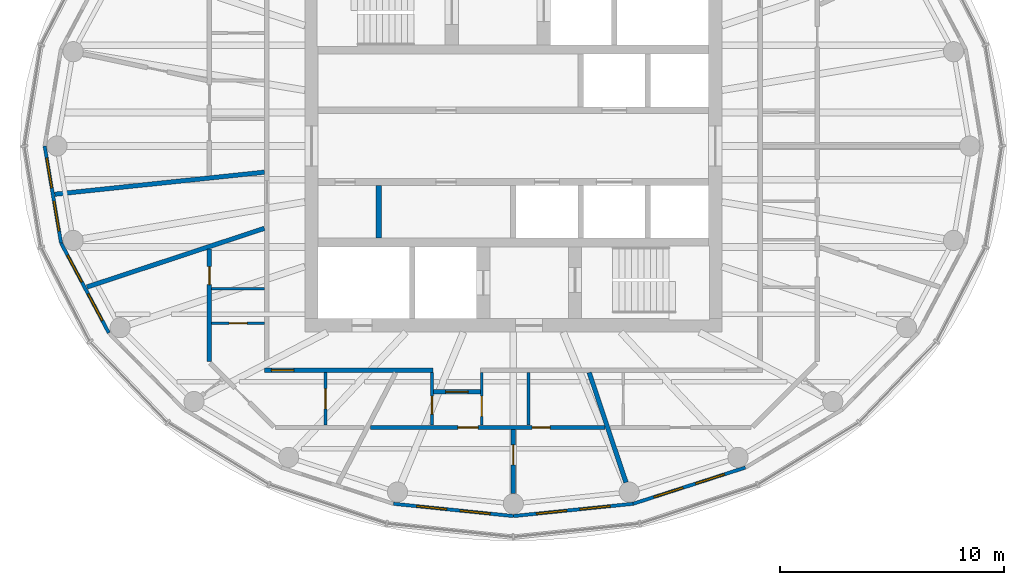
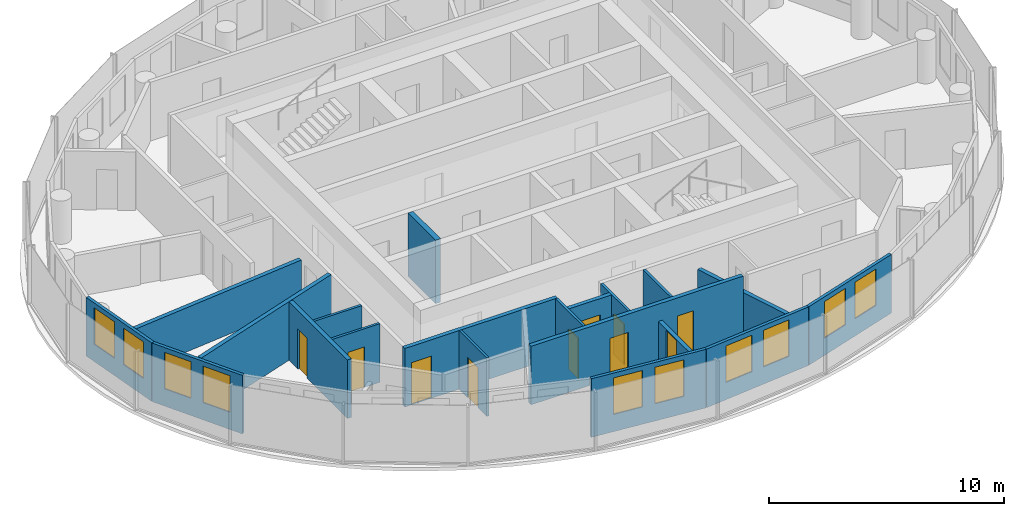
# One storey, part 5 of 11: 20 walls, 10 doors, 10 windows, 20 openings.
"""IFC4 building model written with IfcOpenShell, lengths in metres."""

from ifc_helpers import new_model, si_unit, direction, frame, frame_2d, origin, place, context, subcontext, project, spatial, rectangle, extrude, material, layer, layer_set, type_object, element, fill, save


model = new_model("IFC4")

# Units and contexts
model_context = context("Model", 3, precision=1e-05, world=origin(), true_north=direction((0.0, 1.0)))
body_context = subcontext(model_context, "Body", "Model", "MODEL_VIEW")
ifc_project = project(units=[si_unit("LENGTHUNIT", "METRE"), si_unit("AREAUNIT", "SQUARE_METRE"), si_unit("VOLUMEUNIT", "CUBIC_METRE"), si_unit("PLANEANGLEUNIT", "RADIAN"), si_unit("MASSUNIT", "GRAM", prefix="KILO")], contexts=[model_context])

# Site, building, storey
site_placement = place(None, origin())
site = spatial("IfcSite", under=ifc_project, at=site_placement, CompositionType="ELEMENT")
building_placement = place(site_placement, origin())
building = spatial("IfcBuilding", under=site, at=building_placement, Name="Hankou Lantern Tower", CompositionType="ELEMENT")
storey_placement = place(building_placement, frame((0.0, 0.0, 229.199951171875)))
storey = spatial("IfcBuildingStorey", under=building, at=storey_placement, Name="L62", CompositionType="ELEMENT", Elevation=229.199951171875)

# Wall, openings, windows
ifc_material_1 = material(Name="Aluminium spandrel panel on steel studs", Category="steel")
ifc_layer_1 = layer(ifc_material_1, 0.14990234375)
ifc_layer_set_1 = layer_set([ifc_layer_1], Name="Aluminium spandrel panel on steel studs")
wall_type_1 = type_object("IfcWallType", Name="EW1 INNER SKIN WALL 150", PredefinedType="ELEMENTEDWALL", material=ifc_layer_set_1)
wall_1_placement = place(storey_placement, frame((-20.89990234375, 0.0, 0.0), z_axis=(0.0, 0.0, 1.0), x_axis=(0.166538513568, -0.986034950445, 0.0)))
wall_1 = element("IfcWall", 1, at=wall_1_placement, inside=storey, type_object=wall_type_1, Name="Inner skin R13-R14 L62", PredefinedType="ELEMENTEDWALL", context=body_context, shape_type="SweptSolid", body=[
    extrude(rectangle(XDim=4.384765625, YDim=0.14990234375, at=frame_2d((2.1923828125, 0.0))), origin(), (0.0, 0.0, 1.0), 3.050048828125),
])
opening_1_placement = place(wall_1_placement, frame((0.54248046875, 0.0, 0.89990234375)))
opening_1 = element("IfcOpeningElement", 2, at=opening_1_placement, cuts=wall_1, Name="Opening W4", PredefinedType="OPENING", context=body_context, shape_type="SweptSolid", body=[
    extrude(rectangle(XDim=1.35009765625, YDim=1.89990234375, at=frame_2d((0.675048828125, 0.949951171875))), frame((0.0, 0.0849609375, 0.0), z_axis=(0.0, -1.0, 0.0), x_axis=(1.0, 0.0, 0.0)), (0.0, 0.0, 1.0), 0.169921875),
])
opening_2_placement = place(wall_1_placement, frame((2.492431640625, 0.0, 0.89990234375)))
opening_2 = element("IfcOpeningElement", 3, at=opening_2_placement, cuts=wall_1, Name="Opening W4", PredefinedType="OPENING", context=body_context, shape_type="SweptSolid", body=[
    extrude(rectangle(XDim=1.35009765625, YDim=1.89990234375, at=frame_2d((0.675048828125, 0.949951171875))), frame((0.0, 0.0849609375, 0.0), z_axis=(0.0, -1.0, 0.0), x_axis=(1.0, 0.0, 0.0)), (0.0, 0.0, 1.0), 0.169921875),
])
ifc_material_2 = material(Name="Aluminium framed double glazed window", Category="aluminium")
window_type = type_object("IfcWindowType", Name="W4 SUITE WINDOW 1350X1900", PartitioningType="DOUBLE_PANEL_VERTICAL", PredefinedType="WINDOW", material=ifc_material_2)
window_1_placement = place(opening_1_placement, origin())
window_1 = element("IfcWindow", 4, at=window_1_placement, inside=storey, type_object=window_type, Name="Window R13.1 L62", OverallHeight=1.89990234375, OverallWidth=1.35009765625, PartitioningType="SINGLE_PANEL", PredefinedType="WINDOW", context=body_context, shape_type="SweptSolid", body=[
    extrude(rectangle(XDim=1.35009765625, YDim=1.89990234375, at=frame_2d((0.675048828125, 0.949951171875))), frame((0.0, 0.030029296875, 0.0), z_axis=(0.0, -1.0, 0.0), x_axis=(1.0, 0.0, 0.0)), (0.0, 0.0, 1.0), 0.06005859375),
])
fill(opening_1, window_1)
window_2_placement = place(opening_2_placement, origin())
window_2 = element("IfcWindow", 5, at=window_2_placement, inside=storey, type_object=window_type, Name="Window R13.2 L62", OverallHeight=1.89990234375, OverallWidth=1.35009765625, PartitioningType="SINGLE_PANEL", PredefinedType="WINDOW", context=body_context, shape_type="SweptSolid", body=[
    extrude(rectangle(XDim=1.35009765625, YDim=1.89990234375, at=frame_2d((0.675048828125, 0.949951171875))), frame((0.0, 0.030029296875, 0.0), z_axis=(0.0, -1.0, 0.0), x_axis=(1.0, 0.0, 0.0)), (0.0, 0.0, 1.0), 0.06005859375),
])
fill(opening_2, window_2)

wall_2_placement = place(storey_placement, frame((-20.169677734375, -4.323486328125, 0.0), z_axis=(0.0, 0.0, 1.0), x_axis=(0.469256152955, -0.883062094597, 0.0)))
wall_2 = element("IfcWall", 6, at=wall_2_placement, inside=storey, type_object=wall_type_1, Name="Inner skin R14-R15 L62", PredefinedType="ELEMENTEDWALL", context=body_context, shape_type="SweptSolid", body=[
    extrude(rectangle(XDim=4.539306640625, YDim=0.14990234375, at=frame_2d((2.26953125, 0.0))), origin(), (0.0, 0.0, 1.0), 3.050048828125),
])
opening_3_placement = place(wall_2_placement, frame((0.61962890625, 0.0, 0.89990234375)))
opening_3 = element("IfcOpeningElement", 7, at=opening_3_placement, cuts=wall_2, Name="Opening W4", PredefinedType="OPENING", context=body_context, shape_type="SweptSolid", body=[
    extrude(rectangle(XDim=1.35009765625, YDim=1.89990234375, at=frame_2d((0.675048828125, 0.949951171875))), frame((0.0, 0.0849609375, 0.0), z_axis=(0.0, -1.0, 0.0), x_axis=(1.0, 0.0, 0.0)), (0.0, 0.0, 1.0), 0.169921875),
])
opening_4_placement = place(wall_2_placement, frame((2.569580078125, 0.0, 0.89990234375)))
opening_4 = element("IfcOpeningElement", 8, at=opening_4_placement, cuts=wall_2, Name="Opening W4", PredefinedType="OPENING", context=body_context, shape_type="SweptSolid", body=[
    extrude(rectangle(XDim=1.35009765625, YDim=1.89990234375, at=frame_2d((0.675048828125, 0.949951171875))), frame((0.0, 0.0849609375, 0.0), z_axis=(0.0, -1.0, 0.0), x_axis=(1.0, 0.0, 0.0)), (0.0, 0.0, 1.0), 0.169921875),
])
window_3_placement = place(opening_3_placement, origin())
window_3 = element("IfcWindow", 9, at=window_3_placement, inside=storey, type_object=window_type, Name="Window R14.1 L62", OverallHeight=1.89990234375, OverallWidth=1.35009765625, PartitioningType="SINGLE_PANEL", PredefinedType="WINDOW", context=body_context, shape_type="SweptSolid", body=[
    extrude(rectangle(XDim=1.35009765625, YDim=1.89990234375, at=frame_2d((0.675048828125, 0.949951171875))), frame((0.0, 0.030029296875, 0.0), z_axis=(0.0, -1.0, 0.0), x_axis=(1.0, 0.0, 0.0)), (0.0, 0.0, 1.0), 0.06005859375),
])
fill(opening_3, window_3)
window_4_placement = place(opening_4_placement, origin())
window_4 = element("IfcWindow", 10, at=window_4_placement, inside=storey, type_object=window_type, Name="Window R14.2 L62", OverallHeight=1.89990234375, OverallWidth=1.35009765625, PartitioningType="SINGLE_PANEL", PredefinedType="WINDOW", context=body_context, shape_type="SweptSolid", body=[
    extrude(rectangle(XDim=1.35009765625, YDim=1.89990234375, at=frame_2d((0.675048828125, 0.949951171875))), frame((0.0, 0.030029296875, 0.0), z_axis=(0.0, -1.0, 0.0), x_axis=(1.0, 0.0, 0.0)), (0.0, 0.0, 1.0), 0.06005859375),
])
fill(opening_4, window_4)

wall_3_placement = place(storey_placement, frame((-5.3427734375, -15.95166015625, 0.0), z_axis=(0.0, 0.0, 1.0), x_axis=(0.994774574972, -0.102095763818, 0.0)))
wall_3 = element("IfcWall", 11, at=wall_3_placement, inside=storey, type_object=wall_type_1, Name="Inner skin R18-R19 L62", PredefinedType="ELEMENTEDWALL", context=body_context, shape_type="SweptSolid", body=[
    extrude(rectangle(XDim=5.370849609375, YDim=0.14990234375, at=frame_2d((2.685546875, 0.0))), origin(), (0.0, 0.0, 1.0), 3.050048828125),
])
opening_5_placement = place(wall_3_placement, frame((1.035400390625, 0.0, 0.89990234375)))
opening_5 = element("IfcOpeningElement", 12, at=opening_5_placement, cuts=wall_3, Name="Opening W4", PredefinedType="OPENING", context=body_context, shape_type="SweptSolid", body=[
    extrude(rectangle(XDim=1.35009765625, YDim=1.89990234375, at=frame_2d((0.675048828125, 0.949951171875))), frame((0.0, 0.0849609375, 0.0), z_axis=(0.0, -1.0, 0.0), x_axis=(1.0, 0.0, 0.0)), (0.0, 0.0, 1.0), 0.169921875),
])
opening_6_placement = place(wall_3_placement, frame((2.9853515625, 0.0, 0.89990234375)))
opening_6 = element("IfcOpeningElement", 13, at=opening_6_placement, cuts=wall_3, Name="Opening W4", PredefinedType="OPENING", context=body_context, shape_type="SweptSolid", body=[
    extrude(rectangle(XDim=1.35009765625, YDim=1.89990234375, at=frame_2d((0.675048828125, 0.949951171875))), frame((0.0, 0.0849609375, 0.0), z_axis=(0.0, -1.0, 0.0), x_axis=(1.0, 0.0, 0.0)), (0.0, 0.0, 1.0), 0.169921875),
])
window_5_placement = place(opening_5_placement, origin())
window_5 = element("IfcWindow", 14, at=window_5_placement, inside=storey, type_object=window_type, Name="Window R18.1 L62", OverallHeight=1.89990234375, OverallWidth=1.35009765625, PartitioningType="SINGLE_PANEL", PredefinedType="WINDOW", context=body_context, shape_type="SweptSolid", body=[
    extrude(rectangle(XDim=1.35009765625, YDim=1.89990234375, at=frame_2d((0.675048828125, 0.949951171875))), frame((0.0, 0.030029296875, 0.0), z_axis=(0.0, -1.0, 0.0), x_axis=(1.0, 0.0, 0.0)), (0.0, 0.0, 1.0), 0.06005859375),
])
fill(opening_5, window_5)
window_6_placement = place(opening_6_placement, origin())
window_6 = element("IfcWindow", 15, at=window_6_placement, inside=storey, type_object=window_type, Name="Window R18.2 L62", OverallHeight=1.89990234375, OverallWidth=1.35009765625, PartitioningType="SINGLE_PANEL", PredefinedType="WINDOW", context=body_context, shape_type="SweptSolid", body=[
    extrude(rectangle(XDim=1.35009765625, YDim=1.89990234375, at=frame_2d((0.675048828125, 0.949951171875))), frame((0.0, 0.030029296875, 0.0), z_axis=(0.0, -1.0, 0.0), x_axis=(1.0, 0.0, 0.0)), (0.0, 0.0, 1.0), 0.06005859375),
])
fill(opening_6, window_6)

wall_4_placement = place(storey_placement, frame((0.0, -16.5, 0.0), z_axis=(0.0, 0.0, 1.0), x_axis=(0.994774574972, 0.102095763818, 0.0)))
wall_4 = element("IfcWall", 16, at=wall_4_placement, inside=storey, type_object=wall_type_1, Name="Inner skin R19-R20 L62", PredefinedType="ELEMENTEDWALL", context=body_context, shape_type="SweptSolid", body=[
    extrude(rectangle(XDim=5.370849609375, YDim=0.14990234375, at=frame_2d((2.685546875, 0.0))), origin(), (0.0, 0.0, 1.0), 3.050048828125),
])
opening_7_placement = place(wall_4_placement, frame((1.035400390625, 0.0, 0.89990234375)))
opening_7 = element("IfcOpeningElement", 17, at=opening_7_placement, cuts=wall_4, Name="Opening W4", PredefinedType="OPENING", context=body_context, shape_type="SweptSolid", body=[
    extrude(rectangle(XDim=1.35009765625, YDim=1.89990234375, at=frame_2d((0.675048828125, 0.949951171875))), frame((0.0, 0.0849609375, 0.0), z_axis=(0.0, -1.0, 0.0), x_axis=(1.0, 0.0, 0.0)), (0.0, 0.0, 1.0), 0.169921875),
])
opening_8_placement = place(wall_4_placement, frame((2.9853515625, 0.0, 0.89990234375)))
opening_8 = element("IfcOpeningElement", 18, at=opening_8_placement, cuts=wall_4, Name="Opening W4", PredefinedType="OPENING", context=body_context, shape_type="SweptSolid", body=[
    extrude(rectangle(XDim=1.35009765625, YDim=1.89990234375, at=frame_2d((0.675048828125, 0.949951171875))), frame((0.0, 0.0849609375, 0.0), z_axis=(0.0, -1.0, 0.0), x_axis=(1.0, 0.0, 0.0)), (0.0, 0.0, 1.0), 0.169921875),
])
window_7_placement = place(opening_7_placement, origin())
window_7 = element("IfcWindow", 19, at=window_7_placement, inside=storey, type_object=window_type, Name="Window R19.1 L62", OverallHeight=1.89990234375, OverallWidth=1.35009765625, PartitioningType="SINGLE_PANEL", PredefinedType="WINDOW", context=body_context, shape_type="SweptSolid", body=[
    extrude(rectangle(XDim=1.35009765625, YDim=1.89990234375, at=frame_2d((0.675048828125, 0.949951171875))), frame((0.0, 0.030029296875, 0.0), z_axis=(0.0, -1.0, 0.0), x_axis=(1.0, 0.0, 0.0)), (0.0, 0.0, 1.0), 0.06005859375),
])
fill(opening_7, window_7)
window_8_placement = place(opening_8_placement, origin())
window_8 = element("IfcWindow", 20, at=window_8_placement, inside=storey, type_object=window_type, Name="Window R19.2 L62", OverallHeight=1.89990234375, OverallWidth=1.35009765625, PartitioningType="SINGLE_PANEL", PredefinedType="WINDOW", context=body_context, shape_type="SweptSolid", body=[
    extrude(rectangle(XDim=1.35009765625, YDim=1.89990234375, at=frame_2d((0.675048828125, 0.949951171875))), frame((0.0, 0.030029296875, 0.0), z_axis=(0.0, -1.0, 0.0), x_axis=(1.0, 0.0, 0.0)), (0.0, 0.0, 1.0), 0.06005859375),
])
fill(opening_8, window_8)

wall_5_placement = place(storey_placement, frame((5.3427734375, -15.95166015625, 0.0), z_axis=(0.0, 0.0, 1.0), x_axis=(0.951644702515, 0.307200846638, 0.0)))
wall_5 = element("IfcWall", 21, at=wall_5_placement, inside=storey, type_object=wall_type_1, Name="Inner skin R20-R21 L62", PredefinedType="ELEMENTEDWALL", context=body_context, shape_type="SweptSolid", body=[
    extrude(rectangle(XDim=5.2578125, YDim=0.14990234375, at=frame_2d((2.62890625, 0.0))), origin(), (0.0, 0.0, 1.0), 3.050048828125),
])
opening_9_placement = place(wall_5_placement, frame((0.97900390625, 0.0, 0.89990234375)))
opening_9 = element("IfcOpeningElement", 22, at=opening_9_placement, cuts=wall_5, Name="Opening W4", PredefinedType="OPENING", context=body_context, shape_type="SweptSolid", body=[
    extrude(rectangle(XDim=1.35009765625, YDim=1.89990234375, at=frame_2d((0.675048828125, 0.949951171875))), frame((0.0, 0.0849609375, 0.0), z_axis=(0.0, -1.0, 0.0), x_axis=(1.0, 0.0, 0.0)), (0.0, 0.0, 1.0), 0.169921875),
])
opening_10_placement = place(wall_5_placement, frame((2.928955078125, 0.0, 0.89990234375)))
opening_10 = element("IfcOpeningElement", 23, at=opening_10_placement, cuts=wall_5, Name="Opening W4", PredefinedType="OPENING", context=body_context, shape_type="SweptSolid", body=[
    extrude(rectangle(XDim=1.35009765625, YDim=1.89990234375, at=frame_2d((0.675048828125, 0.949951171875))), frame((0.0, 0.0849609375, 0.0), z_axis=(0.0, -1.0, 0.0), x_axis=(1.0, 0.0, 0.0)), (0.0, 0.0, 1.0), 0.169921875),
])
window_9_placement = place(opening_9_placement, origin())
window_9 = element("IfcWindow", 24, at=window_9_placement, inside=storey, type_object=window_type, Name="Window R20.1 L62", OverallHeight=1.89990234375, OverallWidth=1.35009765625, PartitioningType="SINGLE_PANEL", PredefinedType="WINDOW", context=body_context, shape_type="SweptSolid", body=[
    extrude(rectangle(XDim=1.35009765625, YDim=1.89990234375, at=frame_2d((0.675048828125, 0.949951171875))), frame((0.0, 0.030029296875, 0.0), z_axis=(0.0, -1.0, 0.0), x_axis=(1.0, 0.0, 0.0)), (0.0, 0.0, 1.0), 0.06005859375),
])
fill(opening_9, window_9)
window_10_placement = place(opening_10_placement, origin())
window_10 = element("IfcWindow", 25, at=window_10_placement, inside=storey, type_object=window_type, Name="Window R20.2 L62", OverallHeight=1.89990234375, OverallWidth=1.35009765625, PartitioningType="SINGLE_PANEL", PredefinedType="WINDOW", context=body_context, shape_type="SweptSolid", body=[
    extrude(rectangle(XDim=1.35009765625, YDim=1.89990234375, at=frame_2d((0.675048828125, 0.949951171875))), frame((0.0, 0.030029296875, 0.0), z_axis=(0.0, -1.0, 0.0), x_axis=(1.0, 0.0, 0.0)), (0.0, 0.0, 1.0), 0.06005859375),
])
fill(opening_10, window_10)

# Wall
ifc_material_3 = material(Name="Masonry lightweight concrete block", Category="masonry")
ifc_layer_2 = layer(ifc_material_3, 0.199951171875)
ifc_layer_set_2 = layer_set([ifc_layer_2], Name="Masonry lightweight concrete block")
wall_type_2 = type_object("IfcWallType", Name="IW1 GUEST ROOM PARTY WALL 200", PredefinedType="PARTITIONING", material=ifc_layer_set_2)
wall_6_placement = place(storey_placement, frame((3.3828125, -10.10009765625, 0.0), z_axis=(0.0, 0.0, 1.0), x_axis=(0.317602151035, -0.948224063003, 0.0)))
element("IfcWall", 26, at=wall_6_placement, inside=storey, type_object=wall_type_2, Name="Party wall R20", PredefinedType="PARTITIONING", context=body_context, shape_type="SweptSolid", body=[
    extrude(rectangle(XDim=5.16796875, YDim=0.199951171875, at=frame_2d((2.583984375, 0.0))), origin(), (0.0, 0.0, 1.0), 2.150146484375),
])

# Wall, opening, door
ifc_material_4 = material(Name="Masonry lightweight concrete block", Category="masonry")
ifc_layer_3 = layer(ifc_material_4, 0.199951171875)
ifc_layer_set_3 = layer_set([ifc_layer_3], Name="Masonry lightweight concrete block")
wall_type_3 = type_object("IfcWallType", Name="IW2 CORRIDOR WALL 200", PredefinedType="PARTITIONING", material=ifc_layer_set_3)
wall_7_placement = place(storey_placement, frame((-3.578857421875, -10.0, 0.0), z_axis=(0.0, 0.0, 1.0), x_axis=(-1.0, 0.0, 0.0)))
wall_7 = element("IfcWall", 27, at=wall_7_placement, inside=storey, type_object=wall_type_3, Name="Corridor wall south", PredefinedType="PARTITIONING", context=body_context, shape_type="SweptSolid", body=[
    extrude(rectangle(XDim=7.521240234375, YDim=0.199951171875, at=frame_2d((3.7607421875, 0.0))), origin(), (0.0, 0.0, 1.0), 3.050048828125),
])
opening_11_placement = place(wall_7_placement, frame((6.205810546875, 0.0, 0.0)))
opening_11 = element("IfcOpeningElement", 28, at=opening_11_placement, cuts=wall_7, Name="Opening D2", PredefinedType="OPENING", context=body_context, shape_type="SweptSolid", body=[
    extrude(rectangle(XDim=1.0, YDim=2.199951171875, at=frame_2d((0.5, 1.10009765625))), frame((0.0, 0.10986328125, 0.0), z_axis=(0.0, -1.0, 0.0), x_axis=(1.0, 0.0, 0.0)), (0.0, 0.0, 1.0), 0.219970703125),
])
ifc_material_5 = material(Name="Steel door leaf", Category="steel")
door_type_1 = type_object("IfcDoorType", Name="D2 SUITE DOOR 1000X2200", OperationType="SINGLE_SWING_LEFT", PredefinedType="DOOR", material=ifc_material_5)
door_1_placement = place(opening_11_placement, origin())
door_1 = element("IfcDoor", 29, at=door_1_placement, inside=storey, type_object=door_type_1, Name="Suite door 6204", OperationType="SINGLE_SWING_LEFT", OverallHeight=2.199951171875, OverallWidth=1.0, PredefinedType="DOOR", context=body_context, shape_type="SweptSolid", body=[
    extrude(rectangle(XDim=1.0, YDim=2.199951171875, at=frame_2d((0.5, 1.10009765625))), frame((0.0, 0.02490234375, 0.0), z_axis=(0.0, -1.0, 0.0), x_axis=(1.0, 0.0, 0.0)), (0.0, 0.0, 1.0), 0.050048828125),
])
fill(opening_11, door_1)

wall_8_placement = place(storey_placement, frame((-3.56884765625, -10.949951171875, 0.0), z_axis=(0.0, 0.0, 1.0), x_axis=(1.0, 0.0, 0.0)))
wall_8 = element("IfcWall", 30, at=wall_8_placement, inside=storey, type_object=wall_type_3, Name="Suite entrance recess wall 6205", PredefinedType="PARTITIONING", context=body_context, shape_type="SweptSolid", body=[
    extrude(rectangle(XDim=2.099853515625, YDim=0.199951171875, at=frame_2d((1.0498046875, 0.0))), origin(), (0.0, 0.0, 1.0), 3.050048828125),
])
opening_12_placement = place(wall_8_placement, frame((0.550048828125, 0.0, 0.0)))
opening_12 = element("IfcOpeningElement", 31, at=opening_12_placement, cuts=wall_8, Name="Opening D2", PredefinedType="OPENING", context=body_context, shape_type="SweptSolid", body=[
    extrude(rectangle(XDim=1.0, YDim=2.199951171875, at=frame_2d((0.5, 1.10009765625))), frame((0.0, 0.10986328125, 0.0), z_axis=(0.0, -1.0, 0.0), x_axis=(1.0, 0.0, 0.0)), (0.0, 0.0, 1.0), 0.219970703125),
])
door_2_placement = place(opening_12_placement, origin())
door_2 = element("IfcDoor", 32, at=door_2_placement, inside=storey, type_object=door_type_1, Name="Suite door 6205", OperationType="SINGLE_SWING_RIGHT", OverallHeight=2.199951171875, OverallWidth=1.0, PredefinedType="DOOR", context=body_context, shape_type="SweptSolid", body=[
    extrude(rectangle(XDim=1.0, YDim=2.199951171875, at=frame_2d((0.5, 1.10009765625))), frame((0.0, 0.02490234375, 0.0), z_axis=(0.0, -1.0, 0.0), x_axis=(1.0, 0.0, 0.0)), (0.0, 0.0, 1.0), 0.050048828125),
])
fill(opening_12, door_2)

# Wall
ifc_material_6 = material(Name="Masonry lightweight concrete block", Category="masonry")
ifc_layer_4 = layer(ifc_material_6, 0.1201171875)
ifc_layer_set_4 = layer_set([ifc_layer_4], Name="Masonry lightweight concrete block")
wall_type_4 = type_object("IfcWallType", Name="IW3 BATHROOM WALL 120", PredefinedType="PARTITIONING", material=ifc_layer_set_4)
wall_9_placement = place(storey_placement, frame((-11.10009765625, -6.358154296875, 0.0), z_axis=(0.0, 0.0, 1.0), x_axis=(-1.0, 0.0, 0.0)))
element("IfcWall", 33, at=wall_9_placement, inside=storey, type_object=wall_type_4, Name="Box wall 6204 1", PredefinedType="PARTITIONING", context=body_context, shape_type="SweptSolid", body=[
    extrude(rectangle(XDim=2.349853515625, YDim=0.1201171875, at=frame_2d((1.1748046875, 0.0))), origin(), (0.0, 0.0, 1.0), 3.050048828125),
])

# Wall, opening, door
wall_10_placement = place(storey_placement, frame((-11.10009765625, -7.9052734375, 0.0), z_axis=(0.0, 0.0, 1.0), x_axis=(-1.0, 0.0, 0.0)))
wall_10 = element("IfcWall", 34, at=wall_10_placement, inside=storey, type_object=wall_type_4, Name="Box wall 6204 2", PredefinedType="PARTITIONING", context=body_context, shape_type="SweptSolid", body=[
    extrude(rectangle(XDim=2.349853515625, YDim=0.1201171875, at=frame_2d((1.1748046875, 0.0))), origin(), (0.0, 0.0, 1.0), 3.050048828125),
])
opening_13_placement = place(wall_10_placement, frame((0.77001953125, 0.0, 0.0)))
opening_13 = element("IfcOpeningElement", 35, at=opening_13_placement, cuts=wall_10, Name="Opening D3", PredefinedType="OPENING", context=body_context, shape_type="SweptSolid", body=[
    extrude(rectangle(XDim=0.800048828125, YDim=2.10009765625, at=frame_2d((0.39990234375, 1.050048828125))), frame((0.0, 0.070068359375, 0.0), z_axis=(0.0, -1.0, 0.0), x_axis=(1.0, 0.0, 0.0)), (0.0, 0.0, 1.0), 0.14013671875),
])
ifc_material_7 = material(Name="Timber door leaf", Category="wood")
door_type_2 = type_object("IfcDoorType", Name="D3 BATHROOM DOOR 800X2100", OperationType="SINGLE_SWING_LEFT", PredefinedType="DOOR", material=ifc_material_7)
door_3_placement = place(opening_13_placement, origin())
door_3 = element("IfcDoor", 36, at=door_3_placement, inside=storey, type_object=door_type_2, Name="Suite 6204 guest WC door", OperationType="SINGLE_SWING_LEFT", OverallHeight=2.10009765625, OverallWidth=0.800048828125, PredefinedType="DOOR", context=body_context, shape_type="SweptSolid", body=[
    extrude(rectangle(XDim=0.800048828125, YDim=2.10009765625, at=frame_2d((0.39990234375, 1.050048828125))), frame((0.0, 0.02490234375, 0.0), z_axis=(0.0, -1.0, 0.0), x_axis=(1.0, 0.0, 0.0)), (0.0, 0.0, 1.0), 0.050048828125),
])
fill(opening_13, door_3)

wall_11_placement = place(storey_placement, frame((-8.374755859375, -10.10009765625, 0.0), z_axis=(0.0, 0.0, 1.0), x_axis=(0.0, -1.0, 0.0)))
wall_11 = element("IfcWall", 37, at=wall_11_placement, inside=storey, type_object=wall_type_4, Name="Box wall 6204 3", PredefinedType="PARTITIONING", context=body_context, shape_type="SweptSolid", body=[
    extrude(rectangle(XDim=2.349853515625, YDim=0.1201171875, at=frame_2d((1.1748046875, 0.0))), origin(), (0.0, 0.0, 1.0), 3.050048828125),
])
opening_14_placement = place(wall_11_placement, frame((0.719970703125, 0.0, 0.0)))
opening_14 = element("IfcOpeningElement", 38, at=opening_14_placement, cuts=wall_11, Name="Opening D27", PredefinedType="OPENING", context=body_context, shape_type="SweptSolid", body=[
    extrude(rectangle(XDim=0.89990234375, YDim=2.10009765625, at=frame_2d((0.449951171875, 1.050048828125))), frame((0.0, 0.070068359375, 0.0), z_axis=(0.0, -1.0, 0.0), x_axis=(1.0, 0.0, 0.0)), (0.0, 0.0, 1.0), 0.14013671875),
])
ifc_material_8 = material(Name="Timber door leaf", Category="wood")
door_type_3 = type_object("IfcDoorType", Name="D27 INTERNAL DOOR 900X2100", OperationType="SINGLE_SWING_LEFT", PredefinedType="DOOR", material=ifc_material_8)
door_4_placement = place(opening_14_placement, origin())
door_4 = element("IfcDoor", 39, at=door_4_placement, inside=storey, type_object=door_type_3, Name="Suite 6204 walk-in wardrobe door", OperationType="SINGLE_SWING_LEFT", OverallHeight=2.10009765625, OverallWidth=0.89990234375, PredefinedType="DOOR", context=body_context, shape_type="SweptSolid", body=[
    extrude(rectangle(XDim=0.89990234375, YDim=2.10009765625, at=frame_2d((0.449951171875, 1.050048828125))), frame((0.0, 0.02490234375, 0.0), z_axis=(0.0, -1.0, 0.0), x_axis=(1.0, 0.0, 0.0)), (0.0, 0.0, 1.0), 0.050048828125),
])
fill(opening_14, door_4)

wall_12_placement = place(storey_placement, frame((-3.62890625, -10.10009765625, 0.0), z_axis=(0.0, 0.0, 1.0), x_axis=(0.0, -1.0, 0.0)))
wall_12 = element("IfcWall", 40, at=wall_12_placement, inside=storey, type_object=wall_type_4, Name="Box wall 6205 1", PredefinedType="PARTITIONING", context=body_context, shape_type="SweptSolid", body=[
    extrude(rectangle(XDim=2.349853515625, YDim=0.1201171875, at=frame_2d((1.1748046875, 0.0))), origin(), (0.0, 0.0, 1.0), 3.050048828125),
])
opening_15_placement = place(wall_12_placement, frame((1.050048828125, 0.0, 0.0)))
opening_15 = element("IfcOpeningElement", 41, at=opening_15_placement, cuts=wall_12, Name="Opening D3", PredefinedType="OPENING", context=body_context, shape_type="SweptSolid", body=[
    extrude(rectangle(XDim=0.800048828125, YDim=2.10009765625, at=frame_2d((0.39990234375, 1.050048828125))), frame((0.0, 0.070068359375, 0.0), z_axis=(0.0, -1.0, 0.0), x_axis=(1.0, 0.0, 0.0)), (0.0, 0.0, 1.0), 0.14013671875),
])
door_5_placement = place(opening_15_placement, origin())
door_5 = element("IfcDoor", 42, at=door_5_placement, inside=storey, type_object=door_type_2, Name="Suite 6205 guest WC door", OperationType="SINGLE_SWING_LEFT", OverallHeight=2.10009765625, OverallWidth=0.800048828125, PredefinedType="DOOR", context=body_context, shape_type="SweptSolid", body=[
    extrude(rectangle(XDim=0.800048828125, YDim=2.10009765625, at=frame_2d((0.39990234375, 1.050048828125))), frame((0.0, 0.02490234375, 0.0), z_axis=(0.0, -1.0, 0.0), x_axis=(1.0, 0.0, 0.0)), (0.0, 0.0, 1.0), 0.050048828125),
])
fill(opening_15, door_5)

wall_13_placement = place(storey_placement, frame((-1.408935546875, -10.10009765625, 0.0), z_axis=(0.0, 0.0, 1.0), x_axis=(0.0, -1.0, 0.0)))
wall_13 = element("IfcWall", 43, at=wall_13_placement, inside=storey, type_object=wall_type_4, Name="Box wall 6205 2", PredefinedType="PARTITIONING", context=body_context, shape_type="SweptSolid", body=[
    extrude(rectangle(XDim=2.349853515625, YDim=0.1201171875, at=frame_2d((1.1748046875, 0.0))), origin(), (0.0, 0.0, 1.0), 3.050048828125),
])
opening_16_placement = place(wall_13_placement, frame((1.050048828125, 0.0, 0.0)))
opening_16 = element("IfcOpeningElement", 44, at=opening_16_placement, cuts=wall_13, Name="Opening D27", PredefinedType="OPENING", context=body_context, shape_type="SweptSolid", body=[
    extrude(rectangle(XDim=0.89990234375, YDim=2.10009765625, at=frame_2d((0.449951171875, 1.050048828125))), frame((0.0, 0.070068359375, 0.0), z_axis=(0.0, -1.0, 0.0), x_axis=(1.0, 0.0, 0.0)), (0.0, 0.0, 1.0), 0.14013671875),
])
door_6_placement = place(opening_16_placement, origin())
door_6 = element("IfcDoor", 45, at=door_6_placement, inside=storey, type_object=door_type_3, Name="Suite 6205 walk-in wardrobe door", OperationType="SINGLE_SWING_RIGHT", OverallHeight=2.10009765625, OverallWidth=0.89990234375, PredefinedType="DOOR", context=body_context, shape_type="SweptSolid", body=[
    extrude(rectangle(XDim=0.89990234375, YDim=2.10009765625, at=frame_2d((0.449951171875, 1.050048828125))), frame((0.0, 0.02490234375, 0.0), z_axis=(0.0, -1.0, 0.0), x_axis=(1.0, 0.0, 0.0)), (0.0, 0.0, 1.0), 0.050048828125),
])
fill(opening_16, door_6)

# Wall
wall_14_placement = place(storey_placement, frame((0.678466796875, -10.10009765625, 0.0), z_axis=(0.0, 0.0, 1.0), x_axis=(0.0, -1.0, 0.0)))
element("IfcWall", 46, at=wall_14_placement, inside=storey, type_object=wall_type_4, Name="Box wall 6205 3", PredefinedType="PARTITIONING", context=body_context, shape_type="SweptSolid", body=[
    extrude(rectangle(XDim=2.349853515625, YDim=0.1201171875, at=frame_2d((1.1748046875, 0.0))), origin(), (0.0, 0.0, 1.0), 3.050048828125),
])

# Wall, opening, door
ifc_material_9 = material(Name="Masonry lightweight concrete block", Category="masonry")
ifc_layer_5 = layer(ifc_material_9, 0.199951171875)
ifc_layer_set_5 = layer_set([ifc_layer_5], Name="Masonry lightweight concrete block")
wall_type_5 = type_object("IfcWallType", Name="IW6 SUITE PARTITION 200", PredefinedType="PARTITIONING", material=ifc_layer_set_5)
wall_15_placement = place(storey_placement, frame((-13.550048828125, -4.599853515625, 0.0), z_axis=(0.0, 0.0, 1.0), x_axis=(0.0, -1.0, 0.0)))
wall_15 = element("IfcWall", 47, at=wall_15_placement, inside=storey, type_object=wall_type_5, Name="Suite foyer wall 6204", PredefinedType="PARTITIONING", context=body_context, shape_type="SweptSolid", body=[
    extrude(rectangle(XDim=5.0087890625, YDim=0.199951171875, at=frame_2d((2.50439453125, 0.0))), origin(), (0.0, 0.0, 1.0), 3.050048828125),
])
opening_17_placement = place(wall_15_placement, frame((0.773681640625, 0.0, 0.0)))
opening_17 = element("IfcOpeningElement", 48, at=opening_17_placement, cuts=wall_15, Name="Opening D3", PredefinedType="OPENING", context=body_context, shape_type="SweptSolid", body=[
    extrude(rectangle(XDim=0.800048828125, YDim=2.10009765625, at=frame_2d((0.39990234375, 1.050048828125))), frame((0.0, 0.10986328125, 0.0), z_axis=(0.0, -1.0, 0.0), x_axis=(1.0, 0.0, 0.0)), (0.0, 0.0, 1.0), 0.219970703125),
])
door_7_placement = place(opening_17_placement, origin())
door_7 = element("IfcDoor", 49, at=door_7_placement, inside=storey, type_object=door_type_2, Name="Suite 6204 bathroom door", OperationType="SINGLE_SWING_RIGHT", OverallHeight=2.10009765625, OverallWidth=0.800048828125, PredefinedType="DOOR", context=body_context, shape_type="SweptSolid", body=[
    extrude(rectangle(XDim=0.800048828125, YDim=2.10009765625, at=frame_2d((0.39990234375, 1.050048828125))), frame((0.0, 0.02490234375, 0.0), z_axis=(0.0, -1.0, 0.0), x_axis=(1.0, 0.0, 0.0)), (0.0, 0.0, 1.0), 0.050048828125),
])
fill(opening_17, door_7)

# Wall, openings, doors
wall_16_placement = place(storey_placement, frame((-6.36376953125, -12.550048828125, 0.0), z_axis=(0.0, 0.0, 1.0), x_axis=(1.0, 0.0, 0.0)))
wall_16 = element("IfcWall", 50, at=wall_16_placement, inside=storey, type_object=wall_type_5, Name="Suite foyer wall 6205", PredefinedType="PARTITIONING", context=body_context, shape_type="SweptSolid", body=[
    extrude(rectangle(XDim=10.44580078125, YDim=0.199951171875, at=frame_2d((5.222900390625, 0.0))), origin(), (0.0, 0.0, 1.0), 3.050048828125),
])
opening_18_placement = place(wall_16_placement, frame((7.2021484375, 0.0, 0.0)))
opening_18 = element("IfcOpeningElement", 51, at=opening_18_placement, cuts=wall_16, Name="Opening D3", PredefinedType="OPENING", context=body_context, shape_type="SweptSolid", body=[
    extrude(rectangle(XDim=0.800048828125, YDim=2.10009765625, at=frame_2d((0.39990234375, 1.050048828125))), frame((0.0, 0.10986328125, 0.0), z_axis=(0.0, -1.0, 0.0), x_axis=(1.0, 0.0, 0.0)), (0.0, 0.0, 1.0), 0.219970703125),
])
opening_19_placement = place(wall_16_placement, frame((3.894775390625, 0.0, 0.0)))
opening_19 = element("IfcOpeningElement", 52, at=opening_19_placement, cuts=wall_16, Name="Opening D27", PredefinedType="OPENING", context=body_context, shape_type="SweptSolid", body=[
    extrude(rectangle(XDim=0.89990234375, YDim=2.10009765625, at=frame_2d((0.449951171875, 1.050048828125))), frame((0.0, 0.10986328125, 0.0), z_axis=(0.0, -1.0, 0.0), x_axis=(1.0, 0.0, 0.0)), (0.0, 0.0, 1.0), 0.219970703125),
])
door_8_placement = place(opening_19_placement, origin())
door_8 = element("IfcDoor", 53, at=door_8_placement, inside=storey, type_object=door_type_3, Name="Suite 6205 living room door", OperationType="SINGLE_SWING_RIGHT", OverallHeight=2.10009765625, OverallWidth=0.89990234375, PredefinedType="DOOR", context=body_context, shape_type="SweptSolid", body=[
    extrude(rectangle(XDim=0.89990234375, YDim=2.10009765625, at=frame_2d((0.449951171875, 1.050048828125))), frame((0.0, 0.02490234375, 0.0), z_axis=(0.0, -1.0, 0.0), x_axis=(1.0, 0.0, 0.0)), (0.0, 0.0, 1.0), 0.050048828125),
])
fill(opening_19, door_8)
door_9_placement = place(opening_18_placement, origin())
door_9 = element("IfcDoor", 54, at=door_9_placement, inside=storey, type_object=door_type_2, Name="Suite 6205 bathroom door", OperationType="SINGLE_SWING_LEFT", OverallHeight=2.10009765625, OverallWidth=0.800048828125, PredefinedType="DOOR", context=body_context, shape_type="SweptSolid", body=[
    extrude(rectangle(XDim=0.800048828125, YDim=2.10009765625, at=frame_2d((0.39990234375, 1.050048828125))), frame((0.0, 0.02490234375, 0.0), z_axis=(0.0, -1.0, 0.0), x_axis=(1.0, 0.0, 0.0)), (0.0, 0.0, 1.0), 0.050048828125),
])
fill(opening_18, door_9)

# Wall, opening, door
wall_17_placement = place(storey_placement, frame((0.0, -12.64990234375, 0.0), z_axis=(0.0, 0.0, 1.0), x_axis=(0.0, -1.0, 0.0)))
wall_17 = element("IfcWall", 55, at=wall_17_placement, inside=storey, type_object=wall_type_5, Name="Suite partition R19", PredefinedType="PARTITIONING", context=body_context, shape_type="SweptSolid", body=[
    extrude(rectangle(XDim=2.85009765625, YDim=0.199951171875, at=frame_2d((1.425048828125, 0.0))), origin(), (0.0, 0.0, 1.0), 2.150146484375),
])
opening_20_placement = place(wall_17_placement, frame((0.669921875, 0.0, 0.0)))
opening_20 = element("IfcOpeningElement", 56, at=opening_20_placement, cuts=wall_17, Name="Opening D27", PredefinedType="OPENING", context=body_context, shape_type="SweptSolid", body=[
    extrude(rectangle(XDim=0.89990234375, YDim=2.10009765625, at=frame_2d((0.449951171875, 1.050048828125))), frame((0.0, 0.10986328125, 0.0), z_axis=(0.0, -1.0, 0.0), x_axis=(1.0, 0.0, 0.0)), (0.0, 0.0, 1.0), 0.219970703125),
])
door_10_placement = place(opening_20_placement, origin())
door_10 = element("IfcDoor", 57, at=door_10_placement, inside=storey, type_object=door_type_3, Name="Suite 6205 bedroom door", OperationType="SINGLE_SWING_LEFT", OverallHeight=2.10009765625, OverallWidth=0.89990234375, PredefinedType="DOOR", context=body_context, shape_type="SweptSolid", body=[
    extrude(rectangle(XDim=0.89990234375, YDim=2.10009765625, at=frame_2d((0.449951171875, 1.050048828125))), frame((0.0, 0.02490234375, 0.0), z_axis=(0.0, -1.0, 0.0), x_axis=(1.0, 0.0, 0.0)), (0.0, 0.0, 1.0), 0.050048828125),
])
fill(opening_20, door_10)

# Walls
ifc_material_10 = material(Name="Masonry lightweight concrete block", Category="masonry")
ifc_layer_6 = layer(ifc_material_10, 0.199951171875)
ifc_layer_set_6 = layer_set([ifc_layer_6], Name="Masonry lightweight concrete block")
wall_type_6 = type_object("IfcWallType", Name="IW8 PARTITION 200", PredefinedType="PARTITIONING", material=ifc_layer_set_6)
wall_18_placement = place(storey_placement, frame((-11.10009765625, -1.166015625, 0.0), z_axis=(0.0, 0.0, 1.0), x_axis=(-0.994527487125, -0.104475247564, 0.0)))
element("IfcWall", 58, at=wall_18_placement, inside=storey, type_object=wall_type_6, Name="Partition R13-R14", PredefinedType="PARTITIONING", context=body_context, shape_type="SweptSolid", body=[
    extrude(rectangle(XDim=9.401123046875, YDim=0.199951171875, at=frame_2d((4.70068359375, 0.0))), origin(), (0.0, 0.0, 1.0), 2.300048828125),
])
wall_19_placement = place(storey_placement, frame((-11.10009765625, -3.668701171875, 0.0), z_axis=(0.0, 0.0, 1.0), x_axis=(-0.949476668397, -0.313837627079, 0.0)))
element("IfcWall", 59, at=wall_19_placement, inside=storey, type_object=wall_type_6, Name="Partition R14-R15", PredefinedType="PARTITIONING", context=body_context, shape_type="SweptSolid", body=[
    extrude(rectangle(XDim=8.338623046875, YDim=0.199951171875, at=frame_2d((4.16943359375, 0.0))), origin(), (0.0, 0.0, 1.0), 3.050048828125),
])
ifc_material_11 = material(Name="Masonry autoclaved aerated concrete block", Category="masonry")
ifc_layer_7 = layer(ifc_material_11, 0.25)
ifc_layer_set_7 = layer_set([ifc_layer_7], Name="Masonry autoclaved aerated concrete block")
wall_type_7 = type_object("IfcWallType", Name="SW1 SHAFT BLOCK WALL 250", PredefinedType="PARTITIONING", material=ifc_layer_set_7)
wall_20_placement = place(storey_placement, frame((-6.0, -4.10009765625, 0.0), z_axis=(0.0, 0.0, 1.0), x_axis=(0.0, 1.0, 0.0)))
element("IfcWall", 60, at=wall_20_placement, inside=storey, type_object=wall_type_7, Name="Lift shaft wall L62", PredefinedType="PARTITIONING", context=body_context, shape_type="SweptSolid", body=[
    extrude(rectangle(XDim=2.35009765625, YDim=0.25, at=frame_2d((1.175048828125, 0.0))), origin(), (0.0, 0.0, 1.0), 3.300048828125),
])

save(model, "model.ifc")
